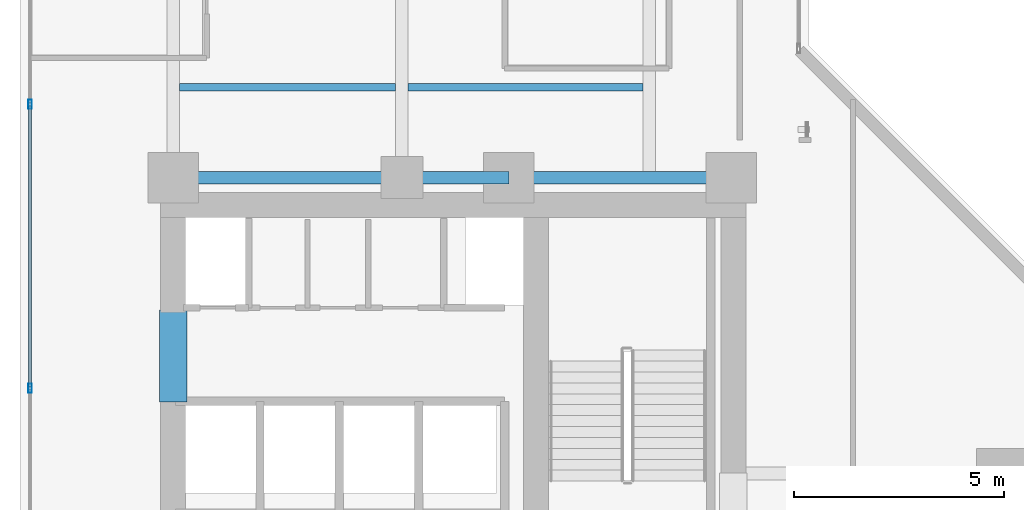
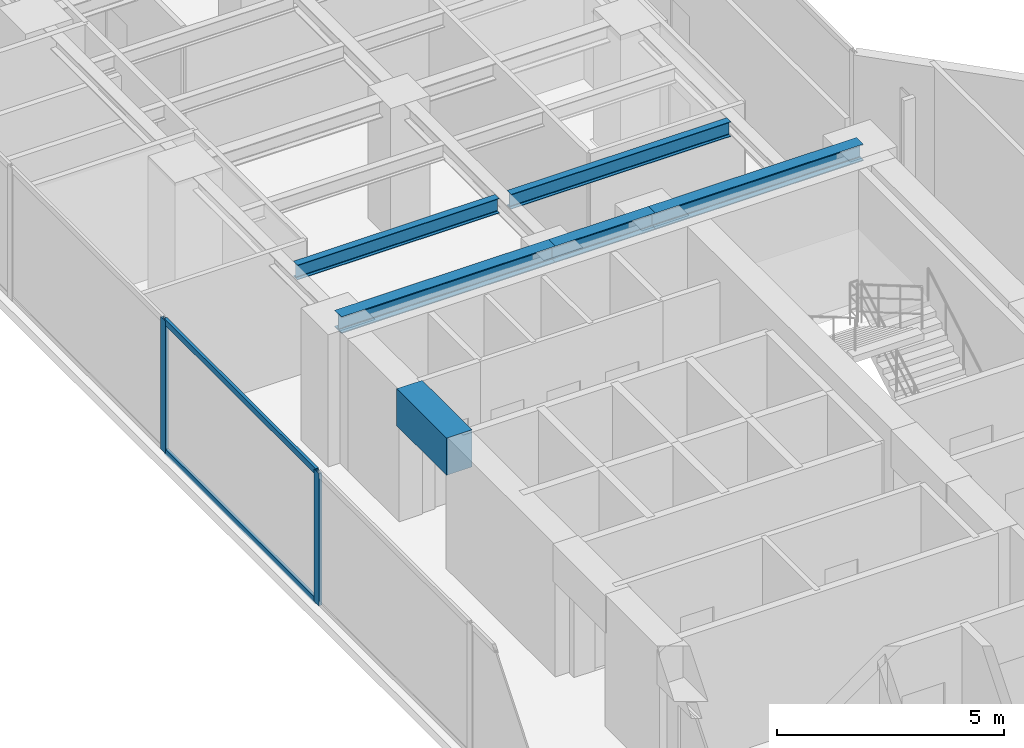
# One storey, part 6 of 24: 6 beams, 4 members, 1 element without a shape of its own.
"""IFC4 building model written with IfcOpenShell, lengths in metres."""

from ifc_helpers import new_model, si_unit, direction, frame, origin, origin_with_axes, origin_2d, place, context, subcontext, project, spatial, rectangle, hollow_rectangle, i_section, extrude, source, transform, mapped, material, layer, layer_set, material_profile, profile_set, type_object, element, aggregate, save


model = new_model("IFC4")

# Units and contexts
model_context = context("Model", 3, precision=1e-05, world=origin(), true_north=direction((0.0, 1.0)))
body_context = subcontext(model_context, "Body", "Model", "MODEL_VIEW")
ifc_project = project(units=[si_unit("LENGTHUNIT", "METRE"), si_unit("AREAUNIT", "SQUARE_METRE"), si_unit("VOLUMEUNIT", "CUBIC_METRE"), si_unit("PLANEANGLEUNIT", "RADIAN"), si_unit("MASSUNIT", "GRAM", prefix="KILO")], contexts=[model_context])

# Site, building, storey
site_placement = place(None, origin())
site = spatial("IfcSite", under=ifc_project, at=site_placement, CompositionType="ELEMENT")
building_placement = place(site_placement, origin())
building = spatial("IfcBuilding", under=site, at=building_placement, Name="Kolvaren Waterfront Exchange", CompositionType="ELEMENT")
storey_placement = place(building_placement, frame((0.0, 0.0, 172.800048828125)))
storey = spatial("IfcBuildingStorey", under=building, at=storey_placement, Name="L44", CompositionType="ELEMENT", Elevation=172.800048828125)

# Beams
ifc_material_1 = material(Name="Steel S355", Category="steel")
ifc_material_profile_1 = material_profile(ifc_material_1, i_section(OverallWidth=0.300048828125, OverallDepth=0.449951171875, WebThickness=0.013916015625, FlangeThickness=0.02587890625, FilletRadius=0.027099609375, at=origin_2d()), Name="HEB450")
ifc_profile_set_1 = profile_set([ifc_material_profile_1], Name="Steel S355")
beam_type_1 = type_object("IfcBeamType", Name="STR-BM-HEB450", PredefinedType="BEAM", material=ifc_profile_set_1)
beam_1_placement = place(storey_placement, frame((7.449951171875, 24.449951171875, 3.3349609375), z_axis=(1.0, 0.0, 0.0), x_axis=(0.0, 1.0, 0.0)))
element("IfcBeam", 1, at=beam_1_placement, inside=storey, type_object=beam_type_1, Name="L44 north-arm girder 1A", PredefinedType="BEAM", context=body_context, shape_type="SweptSolid", body=[
    extrude(i_section(OverallWidth=0.300048828125, OverallDepth=0.449951171875, WebThickness=0.013916015625, FlangeThickness=0.02587890625, FilletRadius=0.027099609375, at=origin_2d()), origin(), (0.0, 0.0, 1.0), 5.449951171875),
])
beam_2_placement = place(storey_placement, frame((12.89990234375, 24.449951171875, 3.3349609375), z_axis=(1.0, 0.0, 0.0), x_axis=(0.0, 1.0, 0.0)))
element("IfcBeam", 2, at=beam_2_placement, inside=storey, type_object=beam_type_1, Name="L44 north-arm girder 1B", PredefinedType="BEAM", context=body_context, shape_type="SweptSolid", body=[
    extrude(i_section(OverallWidth=0.300048828125, OverallDepth=0.449951171875, WebThickness=0.013916015625, FlangeThickness=0.02587890625, FilletRadius=0.027099609375, at=origin_2d()), origin(), (0.0, 0.0, 1.0), 2.550048828125),
])
beam_3_placement = place(storey_placement, frame((15.449951171875, 24.449951171875, 3.3349609375), z_axis=(1.0, 0.0, 0.0), x_axis=(0.0, 1.0, 0.0)))
element("IfcBeam", 3, at=beam_3_placement, inside=storey, type_object=beam_type_1, Name="L44 north-arm girder 1C", PredefinedType="BEAM", context=body_context, shape_type="SweptSolid", body=[
    extrude(i_section(OverallWidth=0.300048828125, OverallDepth=0.449951171875, WebThickness=0.013916015625, FlangeThickness=0.02587890625, FilletRadius=0.027099609375, at=origin_2d()), origin(), (0.0, 0.0, 1.0), 5.300048828125),
])
ifc_material_profile_2 = material_profile(ifc_material_1, i_section(OverallWidth=0.179931640625, OverallDepth=0.39990234375, WebThickness=0.008544921875, FlangeThickness=0.013427734375, FilletRadius=0.02099609375, at=origin_2d()), Name="IPE400")
ifc_profile_set_2 = profile_set([ifc_material_profile_2], Name="Steel S355")
beam_type_2 = type_object("IfcBeamType", Name="STR-BM-IPE400", PredefinedType="JOIST", material=ifc_profile_set_2)
beam_4_placement = place(storey_placement, frame((7.60205078125, 26.60009765625, 3.35986328125), z_axis=(1.0, 0.0, 0.0), x_axis=(0.0, 1.0, 0.0)))
element("IfcBeam", 4, at=beam_4_placement, inside=storey, type_object=beam_type_2, Name="L44 north-arm composite joist 1A", PredefinedType="JOIST", context=body_context, shape_type="SweptSolid", body=[
    extrude(i_section(OverallWidth=0.179931640625, OverallDepth=0.39990234375, WebThickness=0.008544921875, FlangeThickness=0.013427734375, FilletRadius=0.02099609375, at=origin_2d()), origin(), (0.0, 0.0, 1.0), 5.14599609375),
])
beam_5_placement = place(storey_placement, frame((13.052001953125, 26.60009765625, 3.35986328125), z_axis=(1.0, 0.0, 0.0), x_axis=(0.0, 1.0, 0.0)))
element("IfcBeam", 5, at=beam_5_placement, inside=storey, type_object=beam_type_2, Name="L44 north-arm composite joist 1B", PredefinedType="JOIST", context=body_context, shape_type="SweptSolid", body=[
    extrude(i_section(OverallWidth=0.179931640625, OverallDepth=0.39990234375, WebThickness=0.008544921875, FlangeThickness=0.013427734375, FilletRadius=0.02099609375, at=origin_2d()), origin(), (0.0, 0.0, 1.0), 5.595947265625),
])
ifc_material_2 = material(Name="Concrete C60/75", Category="concrete")
ifc_material_profile_3 = material_profile(ifc_material_2, rectangle(XDim=0.64990234375, YDim=1.0, at=origin_2d()), Name="RC-CB-1000x650")
ifc_profile_set_3 = profile_set([ifc_material_profile_3], Name="Concrete C60/75")
beam_type_3 = type_object("IfcBeamType", Name="STR-CB-1000", PredefinedType="SPANDREL", material=ifc_profile_set_3)
beam_6_placement = place(storey_placement, frame((7.449951171875, 19.10009765625, 3.06005859375), z_axis=(0.0, 1.0, 0.0), x_axis=(-1.0, 0.0, 0.0)))
element("IfcBeam", 6, at=beam_6_placement, inside=storey, type_object=beam_type_3, Name="L44 core coupling beam 5", PredefinedType="SPANDREL", context=body_context, shape_type="SweptSolid", body=[
    extrude(rectangle(XDim=0.64990234375, YDim=1.0, at=origin_2d()), origin(), (0.0, 0.0, 1.0), 2.199951171875),
])

# Curtain wall, members
ifc_material_3 = material(Name="Anodised aluminium 6063-T6", Category="aluminium")
ifc_layer = layer(ifc_material_3, 0.219970703125, Name="Anodised aluminium 6063-T6")
ifc_layer_set = layer_set([ifc_layer], Name="Anodised aluminium 6063-T6")
curtain_wall_type = type_object("IfcCurtainWallType", Name="ARC-CW-SYS2", PredefinedType="USERDEFINED", material=ifc_layer_set)
curtain_wall_placement = place(storey_placement, origin())
curtain_wall = element("IfcCurtainWall", 7, at=curtain_wall_placement, inside=storey, type_object=curtain_wall_type, Name="L44 stick curtain wall CW2 (CW-L44-W)", ObjectType="STICK CURTAIN WALL", PredefinedType="USERDEFINED")
ifc_material_profile_4 = material_profile(ifc_material_3, hollow_rectangle(XDim=0.080078125, YDim=0.219970703125, WallThickness=0.0048828125, at=origin_2d()), Name="ALU-MUL-220x80x5")
ifc_profile_set_4 = profile_set([ifc_material_profile_4], Name="Anodised aluminium 6063-T6")
member_type_1 = type_object("IfcMemberType", Name="ARC-CWM-220", PredefinedType="MULLION", material=ifc_profile_set_4)
shared_shape_1 = source(origin_with_axes(), body_context, "Body", "SweptSolid", [
    extrude(hollow_rectangle(XDim=0.080078125, YDim=0.219970703125, WallThickness=0.0048828125, at=origin_2d()), origin(), (0.0, 0.0, 1.0), 3.56005859375),
])
member_1_placement = place(storey_placement, frame((4.0400390625, 19.433349609375, 0.0), z_axis=(0.0, 0.0, 1.0), x_axis=(-1.0, 0.0, 0.0)))
member_1 = element("IfcMember", 8, at=member_1_placement, type_object=member_type_1, Name="CW2 mullion 3", PredefinedType="MULLION", context=body_context, shape_type="MappedRepresentation", body=[
    mapped(shared_shape_1, transform((0.0, 0.0, 0.0), x_axis=(1.0, 0.0, 0.0), y_axis=(0.0, 1.0, 0.0), z_axis=(0.0, 0.0, 1.0), scale=1.0)),
])
member_2_placement = place(storey_placement, frame((4.0400390625, 26.199951171875, 0.0), z_axis=(0.0, 0.0, 1.0), x_axis=(-1.0, 0.0, 0.0)))
member_2 = element("IfcMember", 9, at=member_2_placement, type_object=member_type_1, Name="CW2 mullion 4", PredefinedType="MULLION", context=body_context, shape_type="MappedRepresentation", body=[
    mapped(shared_shape_1, transform((0.0, 0.0, 0.0), x_axis=(1.0, 0.0, 0.0), y_axis=(0.0, 1.0, 0.0), z_axis=(0.0, 0.0, 1.0), scale=1.0)),
])
ifc_material_profile_5 = material_profile(ifc_material_3, hollow_rectangle(XDim=0.074951171875, YDim=0.159912109375, WallThickness=0.00439453125, at=origin_2d()), Name="ALU-TRN-160x75x4.5")
ifc_profile_set_5 = profile_set([ifc_material_profile_5], Name="Anodised aluminium 6063-T6")
member_type_2 = type_object("IfcMemberType", Name="ARC-CWT-160", PredefinedType="USERDEFINED", material=ifc_profile_set_5)
shared_shape_2 = source(origin_with_axes(), body_context, "Body", "SweptSolid", [
    extrude(hollow_rectangle(XDim=0.074951171875, YDim=0.159912109375, WallThickness=0.00439453125, at=origin_2d()), origin(), (0.0, 0.0, 1.0), 6.6865234375),
])
member_3_placement = place(storey_placement, frame((4.0400390625, 19.473388671875, 0.037353515625), z_axis=(0.0, 1.0, 0.0), x_axis=(-1.0, 0.0, 0.0)))
member_3 = element("IfcMember", 10, at=member_3_placement, type_object=member_type_2, Name="CW2 transom 3.1", ObjectType="TRANSOM", PredefinedType="USERDEFINED", context=body_context, shape_type="MappedRepresentation", body=[
    mapped(shared_shape_2, transform((0.0, 0.0, 0.0), x_axis=(1.0, 0.0, 0.0), y_axis=(0.0, 1.0, 0.0), z_axis=(0.0, 0.0, 1.0), scale=1.0)),
])
member_4_placement = place(storey_placement, frame((4.0400390625, 19.473388671875, 3.5224609375), z_axis=(0.0, 1.0, 0.0), x_axis=(-1.0, 0.0, 0.0)))
member_4 = element("IfcMember", 11, at=member_4_placement, type_object=member_type_2, Name="CW2 transom 3.2", ObjectType="TRANSOM", PredefinedType="USERDEFINED", context=body_context, shape_type="MappedRepresentation", body=[
    mapped(shared_shape_2, transform((0.0, 0.0, 0.0), x_axis=(1.0, 0.0, 0.0), y_axis=(0.0, 1.0, 0.0), z_axis=(0.0, 0.0, 1.0), scale=1.0)),
])
aggregate(curtain_wall, [member_1, member_2, member_3, member_4])

save(model, "model.ifc")
